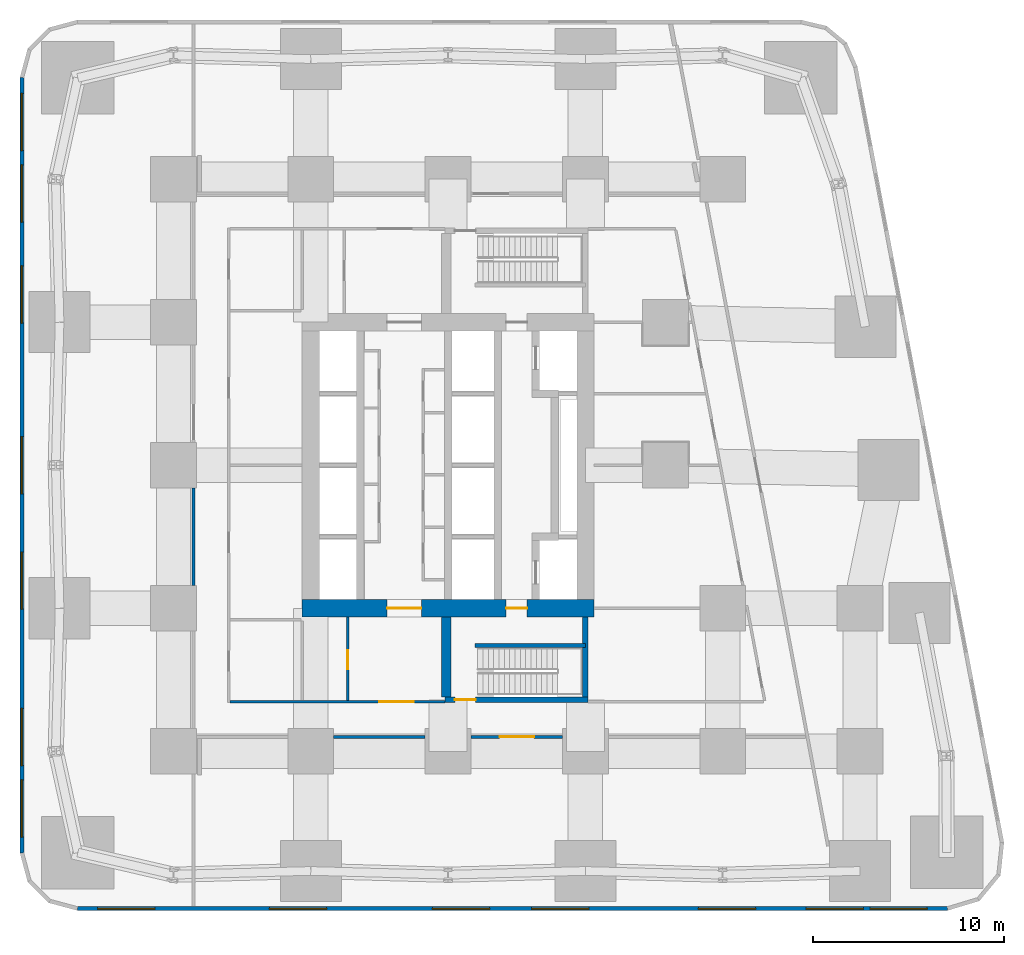
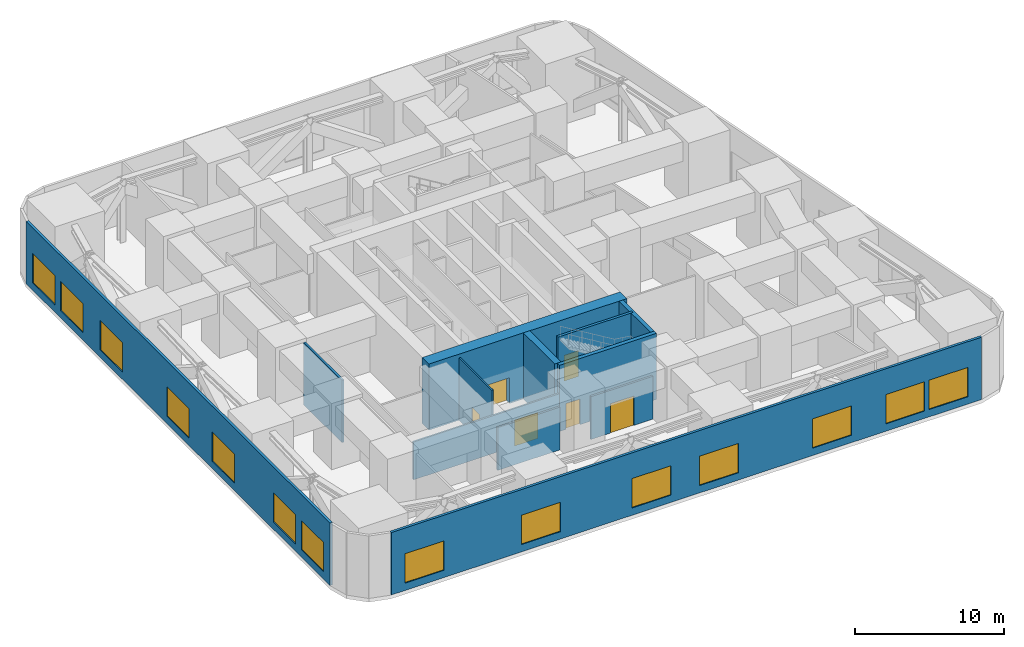
# One storey, part 3 of 8: 14 windows, 12 walls, 6 doors, 20 openings.
"""IFC4 building model written with IfcOpenShell, lengths in metres."""

from ifc_helpers import new_model, si_unit, direction, frame, frame_2d, origin, place, context, subcontext, project, spatial, rectangle, extrude, material, layer, layer_set, type_object, element, fill, save


model = new_model("IFC4")

# Units and contexts
model_context = context("Model", 3, precision=1e-05, world=origin(), true_north=direction((0.0, 1.0)))
body_context = subcontext(model_context, "Body", "Model", "MODEL_VIEW")
ifc_project = project(units=[si_unit("LENGTHUNIT", "METRE"), si_unit("AREAUNIT", "SQUARE_METRE"), si_unit("VOLUMEUNIT", "CUBIC_METRE"), si_unit("PLANEANGLEUNIT", "RADIAN"), si_unit("MASSUNIT", "GRAM", prefix="KILO")], contexts=[model_context])

# Site, building, storey
site_placement = place(None, origin())
site = spatial("IfcSite", under=ifc_project, at=site_placement, CompositionType="ELEMENT")
building_placement = place(site_placement, origin())
building = spatial("IfcBuilding", under=site, at=building_placement, Name="Sheger Commons Tower", CompositionType="ELEMENT")
storey_placement = place(building_placement, frame((0.0, 0.0, 14.60009765625)))
storey = spatial("IfcBuildingStorey", under=building, at=storey_placement, Name="L03", CompositionType="ELEMENT", Elevation=14.60009765625)

# Wall, openings, doors
ifc_material_1 = material(Name="Concrete C50/60", Category="concrete")
ifc_layer_1 = layer(ifc_material_1, 0.89990234375)
ifc_layer_set_1 = layer_set([ifc_layer_1], Name="CORE WALL 900")
wall_type_1 = type_object("IfcWallType", Name="CORE WALL 900", PredefinedType="SHEAR", material=ifc_layer_set_1)
wall_1_placement = place(storey_placement, frame((13.949951171875, 15.0, 0.0), z_axis=(0.0, 0.0, 1.0), x_axis=(1.0, 0.0, 0.0)))
wall_1 = element("IfcWall", 1, at=wall_1_placement, inside=storey, type_object=wall_type_1, Name="Core wall south L03", PredefinedType="SHEAR", context=body_context, shape_type="SweptSolid", body=[
    extrude(rectangle(XDim=15.300048828125, YDim=0.89990234375, at=frame_2d((7.64990234375, 0.0))), origin(), (0.0, 0.0, 1.0), 5.39990234375),
])
opening_1_placement = place(wall_1_placement, frame((4.449951171875, 0.0, 0.0)))
opening_1 = element("IfcOpeningElement", 2, at=opening_1_placement, cuts=wall_1, Name="Opening D6", PredefinedType="OPENING", context=body_context, shape_type="SweptSolid", body=[
    extrude(rectangle(XDim=1.800048828125, YDim=2.10009765625, at=frame_2d((0.89990234375, 1.050048828125))), frame((0.0, 0.4599609375, 0.0), z_axis=(0.0, -1.0, 0.0), x_axis=(1.0, 0.0, 0.0)), (0.0, 0.0, 1.0), 0.919921875),
])
opening_2_placement = place(wall_1_placement, frame((10.699951171875, 0.0, 0.0)))
opening_2 = element("IfcOpeningElement", 3, at=opening_2_placement, cuts=wall_1, Name="Opening D5", PredefinedType="OPENING", context=body_context, shape_type="SweptSolid", body=[
    extrude(rectangle(XDim=1.10009765625, YDim=2.10009765625, at=frame_2d((0.550048828125, 1.050048828125))), frame((0.0, 0.4599609375, 0.0), z_axis=(0.0, -1.0, 0.0), x_axis=(1.0, 0.0, 0.0)), (0.0, 0.0, 1.0), 0.919921875),
])
ifc_material_2 = material(Name="Steel door set, fire rated", Category="steel")
door_type_1 = type_object("IfcDoorType", Name="LOBBY DOUBLE DOOR 1800x2100", OperationType="DOUBLE_DOOR_SINGLE_SWING", PredefinedType="DOOR", material=ifc_material_2)
door_1_placement = place(opening_1_placement, origin())
door_1 = element("IfcDoor", 4, at=door_1_placement, inside=storey, type_object=door_type_1, Name="Lift lobby door", OperationType="DOUBLE_DOOR_SINGLE_SWING", OverallHeight=2.10009765625, OverallWidth=1.800048828125, PredefinedType="DOOR", context=body_context, shape_type="SweptSolid", body=[
    extrude(rectangle(XDim=1.800048828125, YDim=2.10009765625, at=frame_2d((0.89990234375, 1.050048828125))), frame((0.0, 0.02490234375, 0.0), z_axis=(0.0, -1.0, 0.0), x_axis=(1.0, 0.0, 0.0)), (0.0, 0.0, 1.0), 0.050048828125),
])
fill(opening_1, door_1)
ifc_material_3 = material(Name="Steel door set, fire rated", Category="steel")
door_type_2 = type_object("IfcDoorType", Name="STAIR DOOR 1100x2100", OperationType="NOTDEFINED", PredefinedType="DOOR", material=ifc_material_3)
door_2_placement = place(opening_2_placement, origin())
door_2 = element("IfcDoor", 5, at=door_2_placement, inside=storey, type_object=door_type_2, Name="Fire-fighting lobby door", OperationType="SINGLE_SWING_RIGHT", OverallHeight=2.10009765625, OverallWidth=1.10009765625, PredefinedType="DOOR", context=body_context, shape_type="SweptSolid", body=[
    extrude(rectangle(XDim=1.10009765625, YDim=2.10009765625, at=frame_2d((0.550048828125, 1.050048828125))), frame((0.0, 0.02490234375, 0.0), z_axis=(0.0, -1.0, 0.0), x_axis=(1.0, 0.0, 0.0)), (0.0, 0.0, 1.0), 0.050048828125),
])
fill(opening_2, door_2)

# Wall
ifc_material_4 = material(Name="Hollow concrete block masonry, skimmed both sides", Category="masonry")
ifc_layer_2 = layer(ifc_material_4, 0.14990234375)
ifc_layer_set_2 = layer_set([ifc_layer_2], Name="CORRIDOR WALL 150")
wall_type_2 = type_object("IfcWallType", Name="CORRIDOR WALL 150", PredefinedType="SOLIDWALL", material=ifc_layer_set_2)
wall_2_placement = place(storey_placement, frame((8.25, 16.200927734375, 0.0), z_axis=(0.0, 0.0, 1.0), x_axis=(0.0, 1.0, 0.0)))
element("IfcWall", 6, at=wall_2_placement, inside=storey, type_object=wall_type_2, Name="Corridor wall L03", PredefinedType="SOLIDWALL", context=body_context, shape_type="SweptSolid", body=[
    extrude(rectangle(XDim=5.09814453125, YDim=0.14990234375, at=frame_2d((2.549072265625, 0.0))), origin(), (0.0, 0.0, 1.0), 5.099853515625),
])

# Wall, opening, door
wall_3_placement = place(storey_placement, frame((27.59912109375, 8.25, 0.0), z_axis=(0.0, 0.0, 1.0), x_axis=(-1.0, 0.0, 0.0)))
wall_3 = element("IfcWall", 7, at=wall_3_placement, inside=storey, type_object=wall_type_2, Name="Corridor wall L03", PredefinedType="SOLIDWALL", context=body_context, shape_type="SweptSolid", body=[
    extrude(rectangle(XDim=4.798095703125, YDim=0.14990234375, at=frame_2d((2.39892578125, 0.0))), origin(), (0.0, 0.0, 1.0), 3.5),
])
opening_3_placement = place(wall_3_placement, frame((1.491943359375, 0.0, 0.0)))
opening_3 = element("IfcOpeningElement", 8, at=opening_3_placement, cuts=wall_3, Name="Opening D7", PredefinedType="OPENING", context=body_context, shape_type="SweptSolid", body=[
    extrude(rectangle(XDim=1.800048828125, YDim=2.39990234375, at=frame_2d((0.89990234375, 1.199951171875))), frame((0.0, 0.0849609375, 0.0), z_axis=(0.0, -1.0, 0.0), x_axis=(1.0, 0.0, 0.0)), (0.0, 0.0, 1.0), 0.169921875),
])
ifc_material_5 = material(Name="Steel door set, fire rated", Category="steel")
door_type_3 = type_object("IfcDoorType", Name="PLANT DOUBLE DOOR 1800x2400", OperationType="DOUBLE_DOOR_SINGLE_SWING", PredefinedType="DOOR", material=ifc_material_5)
door_3_placement = place(opening_3_placement, origin())
door_3 = element("IfcDoor", 9, at=door_3_placement, inside=storey, type_object=door_type_3, Name="Mechanical plant room door", OperationType="DOUBLE_DOOR_SINGLE_SWING", OverallHeight=2.39990234375, OverallWidth=1.800048828125, PredefinedType="DOOR", context=body_context, shape_type="SweptSolid", body=[
    extrude(rectangle(XDim=1.800048828125, YDim=2.39990234375, at=frame_2d((0.89990234375, 1.199951171875))), frame((0.0, 0.02490234375, 0.0), z_axis=(0.0, -1.0, 0.0), x_axis=(1.0, 0.0, 0.0)), (0.0, 0.0, 1.0), 0.050048828125),
])
fill(opening_3, door_3)

# Wall
wall_4_placement = place(storey_placement, frame((20.39892578125, 8.25, 0.0), z_axis=(0.0, 0.0, 1.0), x_axis=(-1.0, 0.0, 0.0)))
element("IfcWall", 10, at=wall_4_placement, inside=storey, type_object=wall_type_2, Name="Corridor wall L03", PredefinedType="SOLIDWALL", context=body_context, shape_type="SweptSolid", body=[
    extrude(rectangle(XDim=4.7978515625, YDim=0.14990234375, at=frame_2d((2.39892578125, 0.0))), origin(), (0.0, 0.0, 1.0), 3.5),
])

# Wall, openings, windows
ifc_material_6 = material(Name="Rendered concrete block masonry, dark grey", Category="masonry")
ifc_layer_3 = layer(ifc_material_6, 0.199951171875)
ifc_layer_set_3 = layer_set([ifc_layer_3], Name="FACADE WALL 200")
wall_type_3 = type_object("IfcWallType", Name="FACADE WALL 200", PredefinedType="SOLIDWALL", material=ifc_layer_set_3)
wall_5_placement = place(storey_placement, frame((2.1630859375, -0.75, 0.0), z_axis=(0.0, 0.0, 1.0), x_axis=(1.0, 0.0, 0.0)))
wall_5 = element("IfcWall", 11, at=wall_5_placement, inside=storey, type_object=wall_type_3, Name="Facade wall L03", PredefinedType="SOLIDWALL", context=body_context, shape_type="SweptSolid", body=[
    extrude(rectangle(XDim=45.6279296875, YDim=0.199951171875, at=frame_2d((22.81396484375, 0.0))), origin(), (0.0, 0.0, 1.0), 5.099853515625),
])
opening_4_placement = place(wall_5_placement, frame((1.06396484375, 0.0, 0.60009765625)))
opening_4 = element("IfcOpeningElement", 12, at=opening_4_placement, cuts=wall_5, Name="Opening LV1", PredefinedType="OPENING", context=body_context, shape_type="SweptSolid", body=[
    extrude(rectangle(XDim=3.0, YDim=2.39990234375, at=frame_2d((1.5, 1.199951171875))), frame((0.0, 0.10986328125, 0.0), z_axis=(0.0, -1.0, 0.0), x_axis=(1.0, 0.0, 0.0)), (0.0, 0.0, 1.0), 0.219970703125),
])
opening_5_placement = place(wall_5_placement, frame((10.06396484375, 0.0, 0.60009765625)))
opening_5 = element("IfcOpeningElement", 13, at=opening_5_placement, cuts=wall_5, Name="Opening LV1", PredefinedType="OPENING", context=body_context, shape_type="SweptSolid", body=[
    extrude(rectangle(XDim=3.0, YDim=2.39990234375, at=frame_2d((1.5, 1.199951171875))), frame((0.0, 0.10986328125, 0.0), z_axis=(0.0, -1.0, 0.0), x_axis=(1.0, 0.0, 0.0)), (0.0, 0.0, 1.0), 0.219970703125),
])
opening_6_placement = place(wall_5_placement, frame((18.614013671875, 0.0, 0.60009765625)))
opening_6 = element("IfcOpeningElement", 14, at=opening_6_placement, cuts=wall_5, Name="Opening LV1", PredefinedType="OPENING", context=body_context, shape_type="SweptSolid", body=[
    extrude(rectangle(XDim=3.0, YDim=2.39990234375, at=frame_2d((1.5, 1.199951171875))), frame((0.0, 0.10986328125, 0.0), z_axis=(0.0, -1.0, 0.0), x_axis=(1.0, 0.0, 0.0)), (0.0, 0.0, 1.0), 0.219970703125),
])
opening_7_placement = place(wall_5_placement, frame((23.81396484375, 0.0, 0.60009765625)))
opening_7 = element("IfcOpeningElement", 15, at=opening_7_placement, cuts=wall_5, Name="Opening LV1", PredefinedType="OPENING", context=body_context, shape_type="SweptSolid", body=[
    extrude(rectangle(XDim=3.0, YDim=2.39990234375, at=frame_2d((1.5, 1.199951171875))), frame((0.0, 0.10986328125, 0.0), z_axis=(0.0, -1.0, 0.0), x_axis=(1.0, 0.0, 0.0)), (0.0, 0.0, 1.0), 0.219970703125),
])
opening_8_placement = place(wall_5_placement, frame((32.56396484375, 0.0, 0.60009765625)))
opening_8 = element("IfcOpeningElement", 16, at=opening_8_placement, cuts=wall_5, Name="Opening LV1", PredefinedType="OPENING", context=body_context, shape_type="SweptSolid", body=[
    extrude(rectangle(XDim=3.0, YDim=2.39990234375, at=frame_2d((1.5, 1.199951171875))), frame((0.0, 0.10986328125, 0.0), z_axis=(0.0, -1.0, 0.0), x_axis=(1.0, 0.0, 0.0)), (0.0, 0.0, 1.0), 0.219970703125),
])
opening_9_placement = place(wall_5_placement, frame((38.214111328125, 0.0, 0.60009765625)))
opening_9 = element("IfcOpeningElement", 17, at=opening_9_placement, cuts=wall_5, Name="Opening LV1", PredefinedType="OPENING", context=body_context, shape_type="SweptSolid", body=[
    extrude(rectangle(XDim=3.0, YDim=2.39990234375, at=frame_2d((1.5, 1.199951171875))), frame((0.0, 0.10986328125, 0.0), z_axis=(0.0, -1.0, 0.0), x_axis=(1.0, 0.0, 0.0)), (0.0, 0.0, 1.0), 0.219970703125),
])
opening_10_placement = place(wall_5_placement, frame((41.56396484375, 0.0, 0.60009765625)))
opening_10 = element("IfcOpeningElement", 18, at=opening_10_placement, cuts=wall_5, Name="Opening LV1", PredefinedType="OPENING", context=body_context, shape_type="SweptSolid", body=[
    extrude(rectangle(XDim=3.0, YDim=2.39990234375, at=frame_2d((1.5, 1.199951171875))), frame((0.0, 0.10986328125, 0.0), z_axis=(0.0, -1.0, 0.0), x_axis=(1.0, 0.0, 0.0)), (0.0, 0.0, 1.0), 0.219970703125),
])
ifc_material_7 = material(Name="Black aluminium louvre", Category="aluminium")
window_type = type_object("IfcWindowType", Name="LOUVRE LV1 3000x2400", PartitioningType="SINGLE_PANEL", PredefinedType="USERDEFINED", material=ifc_material_7)
window_1_placement = place(opening_4_placement, origin())
window_1 = element("IfcWindow", 19, at=window_1_placement, inside=storey, type_object=window_type, Name="Louvre Lv1 3000X2400", ObjectType="LOUVRE", OverallHeight=2.39990234375, OverallWidth=3.0, PartitioningType="SINGLE_PANEL", PredefinedType="USERDEFINED", context=body_context, shape_type="SweptSolid", body=[
    extrude(rectangle(XDim=3.0, YDim=2.39990234375, at=frame_2d((1.5, 1.199951171875))), frame((0.0, 0.030029296875, 0.0), z_axis=(0.0, -1.0, 0.0), x_axis=(1.0, 0.0, 0.0)), (0.0, 0.0, 1.0), 0.06005859375),
])
fill(opening_4, window_1)
window_2_placement = place(opening_5_placement, origin())
window_2 = element("IfcWindow", 20, at=window_2_placement, inside=storey, type_object=window_type, Name="Louvre Lv1 3000X2400", ObjectType="LOUVRE", OverallHeight=2.39990234375, OverallWidth=3.0, PartitioningType="SINGLE_PANEL", PredefinedType="USERDEFINED", context=body_context, shape_type="SweptSolid", body=[
    extrude(rectangle(XDim=3.0, YDim=2.39990234375, at=frame_2d((1.5, 1.199951171875))), frame((0.0, 0.030029296875, 0.0), z_axis=(0.0, -1.0, 0.0), x_axis=(1.0, 0.0, 0.0)), (0.0, 0.0, 1.0), 0.06005859375),
])
fill(opening_5, window_2)
window_3_placement = place(opening_6_placement, origin())
window_3 = element("IfcWindow", 21, at=window_3_placement, inside=storey, type_object=window_type, Name="Louvre Lv1 3000X2400", ObjectType="LOUVRE", OverallHeight=2.39990234375, OverallWidth=3.0, PartitioningType="SINGLE_PANEL", PredefinedType="USERDEFINED", context=body_context, shape_type="SweptSolid", body=[
    extrude(rectangle(XDim=3.0, YDim=2.39990234375, at=frame_2d((1.5, 1.199951171875))), frame((0.0, 0.030029296875, 0.0), z_axis=(0.0, -1.0, 0.0), x_axis=(1.0, 0.0, 0.0)), (0.0, 0.0, 1.0), 0.06005859375),
])
fill(opening_6, window_3)
window_4_placement = place(opening_7_placement, origin())
window_4 = element("IfcWindow", 22, at=window_4_placement, inside=storey, type_object=window_type, Name="Louvre Lv1 3000X2400", ObjectType="LOUVRE", OverallHeight=2.39990234375, OverallWidth=3.0, PartitioningType="SINGLE_PANEL", PredefinedType="USERDEFINED", context=body_context, shape_type="SweptSolid", body=[
    extrude(rectangle(XDim=3.0, YDim=2.39990234375, at=frame_2d((1.5, 1.199951171875))), frame((0.0, 0.030029296875, 0.0), z_axis=(0.0, -1.0, 0.0), x_axis=(1.0, 0.0, 0.0)), (0.0, 0.0, 1.0), 0.06005859375),
])
fill(opening_7, window_4)
window_5_placement = place(opening_8_placement, origin())
window_5 = element("IfcWindow", 23, at=window_5_placement, inside=storey, type_object=window_type, Name="Louvre Lv1 3000X2400", ObjectType="LOUVRE", OverallHeight=2.39990234375, OverallWidth=3.0, PartitioningType="SINGLE_PANEL", PredefinedType="USERDEFINED", context=body_context, shape_type="SweptSolid", body=[
    extrude(rectangle(XDim=3.0, YDim=2.39990234375, at=frame_2d((1.5, 1.199951171875))), frame((0.0, 0.030029296875, 0.0), z_axis=(0.0, -1.0, 0.0), x_axis=(1.0, 0.0, 0.0)), (0.0, 0.0, 1.0), 0.06005859375),
])
fill(opening_8, window_5)
window_6_placement = place(opening_9_placement, origin())
window_6 = element("IfcWindow", 24, at=window_6_placement, inside=storey, type_object=window_type, Name="Louvre Lv1 3000X2400", ObjectType="LOUVRE", OverallHeight=2.39990234375, OverallWidth=3.0, PartitioningType="SINGLE_PANEL", PredefinedType="USERDEFINED", context=body_context, shape_type="SweptSolid", body=[
    extrude(rectangle(XDim=3.0, YDim=2.39990234375, at=frame_2d((1.5, 1.199951171875))), frame((0.0, 0.030029296875, 0.0), z_axis=(0.0, -1.0, 0.0), x_axis=(1.0, 0.0, 0.0)), (0.0, 0.0, 1.0), 0.06005859375),
])
fill(opening_9, window_6)
window_7_placement = place(opening_10_placement, origin())
window_7 = element("IfcWindow", 25, at=window_7_placement, inside=storey, type_object=window_type, Name="Louvre Lv1 3000X2400", ObjectType="LOUVRE", OverallHeight=2.39990234375, OverallWidth=3.0, PartitioningType="SINGLE_PANEL", PredefinedType="USERDEFINED", context=body_context, shape_type="SweptSolid", body=[
    extrude(rectangle(XDim=3.0, YDim=2.39990234375, at=frame_2d((1.5, 1.199951171875))), frame((0.0, 0.030029296875, 0.0), z_axis=(0.0, -1.0, 0.0), x_axis=(1.0, 0.0, 0.0)), (0.0, 0.0, 1.0), 0.06005859375),
])
fill(opening_10, window_7)

wall_6_placement = place(storey_placement, frame((-0.75, 42.8369140625, 0.0), z_axis=(0.0, 0.0, 1.0), x_axis=(0.0, -1.0, 0.0)))
wall_6 = element("IfcWall", 26, at=wall_6_placement, inside=storey, type_object=wall_type_3, Name="Facade wall L03", PredefinedType="SOLIDWALL", context=body_context, shape_type="SweptSolid", body=[
    extrude(rectangle(XDim=40.673828125, YDim=0.199951171875, at=frame_2d((20.3369140625, 0.0))), origin(), (0.0, 0.0, 1.0), 5.099853515625),
])
opening_11_placement = place(wall_6_placement, frame((0.8369140625, 0.0, 0.60009765625)))
opening_11 = element("IfcOpeningElement", 27, at=opening_11_placement, cuts=wall_6, Name="Opening LV1", PredefinedType="OPENING", context=body_context, shape_type="SweptSolid", body=[
    extrude(rectangle(XDim=3.0, YDim=2.39990234375, at=frame_2d((1.5, 1.199951171875))), frame((0.0, 0.10986328125, 0.0), z_axis=(0.0, -1.0, 0.0), x_axis=(1.0, 0.0, 0.0)), (0.0, 0.0, 1.0), 0.219970703125),
])
opening_12_placement = place(wall_6_placement, frame((4.5869140625, 0.0, 0.60009765625)))
opening_12 = element("IfcOpeningElement", 28, at=opening_12_placement, cuts=wall_6, Name="Opening LV1", PredefinedType="OPENING", context=body_context, shape_type="SweptSolid", body=[
    extrude(rectangle(XDim=3.0, YDim=2.39990234375, at=frame_2d((1.5, 1.199951171875))), frame((0.0, 0.10986328125, 0.0), z_axis=(0.0, -1.0, 0.0), x_axis=(1.0, 0.0, 0.0)), (0.0, 0.0, 1.0), 0.219970703125),
])
opening_13_placement = place(wall_6_placement, frame((9.886962890625, 0.0, 0.60009765625)))
opening_13 = element("IfcOpeningElement", 29, at=opening_13_placement, cuts=wall_6, Name="Opening LV1", PredefinedType="OPENING", context=body_context, shape_type="SweptSolid", body=[
    extrude(rectangle(XDim=3.0, YDim=2.39990234375, at=frame_2d((1.5, 1.199951171875))), frame((0.0, 0.10986328125, 0.0), z_axis=(0.0, -1.0, 0.0), x_axis=(1.0, 0.0, 0.0)), (0.0, 0.0, 1.0), 0.219970703125),
])
opening_14_placement = place(wall_6_placement, frame((18.8369140625, 0.0, 0.60009765625)))
opening_14 = element("IfcOpeningElement", 30, at=opening_14_placement, cuts=wall_6, Name="Opening LV1", PredefinedType="OPENING", context=body_context, shape_type="SweptSolid", body=[
    extrude(rectangle(XDim=3.0, YDim=2.39990234375, at=frame_2d((1.5, 1.199951171875))), frame((0.0, 0.10986328125, 0.0), z_axis=(0.0, -1.0, 0.0), x_axis=(1.0, 0.0, 0.0)), (0.0, 0.0, 1.0), 0.219970703125),
])
opening_15_placement = place(wall_6_placement, frame((24.886962890625, 0.0, 0.60009765625)))
opening_15 = element("IfcOpeningElement", 31, at=opening_15_placement, cuts=wall_6, Name="Opening LV1", PredefinedType="OPENING", context=body_context, shape_type="SweptSolid", body=[
    extrude(rectangle(XDim=3.0, YDim=2.39990234375, at=frame_2d((1.5, 1.199951171875))), frame((0.0, 0.10986328125, 0.0), z_axis=(0.0, -1.0, 0.0), x_axis=(1.0, 0.0, 0.0)), (0.0, 0.0, 1.0), 0.219970703125),
])
opening_16_placement = place(wall_6_placement, frame((33.0869140625, 0.0, 0.60009765625)))
opening_16 = element("IfcOpeningElement", 32, at=opening_16_placement, cuts=wall_6, Name="Opening LV1", PredefinedType="OPENING", context=body_context, shape_type="SweptSolid", body=[
    extrude(rectangle(XDim=3.0, YDim=2.39990234375, at=frame_2d((1.5, 1.199951171875))), frame((0.0, 0.10986328125, 0.0), z_axis=(0.0, -1.0, 0.0), x_axis=(1.0, 0.0, 0.0)), (0.0, 0.0, 1.0), 0.219970703125),
])
opening_17_placement = place(wall_6_placement, frame((36.8369140625, 0.0, 0.60009765625)))
opening_17 = element("IfcOpeningElement", 33, at=opening_17_placement, cuts=wall_6, Name="Opening LV1", PredefinedType="OPENING", context=body_context, shape_type="SweptSolid", body=[
    extrude(rectangle(XDim=3.0, YDim=2.39990234375, at=frame_2d((1.5, 1.199951171875))), frame((0.0, 0.10986328125, 0.0), z_axis=(0.0, -1.0, 0.0), x_axis=(1.0, 0.0, 0.0)), (0.0, 0.0, 1.0), 0.219970703125),
])
window_8_placement = place(opening_11_placement, origin())
window_8 = element("IfcWindow", 34, at=window_8_placement, inside=storey, type_object=window_type, Name="Louvre Lv1 3000X2400", ObjectType="LOUVRE", OverallHeight=2.39990234375, OverallWidth=3.0, PartitioningType="SINGLE_PANEL", PredefinedType="USERDEFINED", context=body_context, shape_type="SweptSolid", body=[
    extrude(rectangle(XDim=3.0, YDim=2.39990234375, at=frame_2d((1.5, 1.199951171875))), frame((0.0, 0.030029296875, 0.0), z_axis=(0.0, -1.0, 0.0), x_axis=(1.0, 0.0, 0.0)), (0.0, 0.0, 1.0), 0.06005859375),
])
fill(opening_11, window_8)
window_9_placement = place(opening_12_placement, origin())
window_9 = element("IfcWindow", 35, at=window_9_placement, inside=storey, type_object=window_type, Name="Louvre Lv1 3000X2400", ObjectType="LOUVRE", OverallHeight=2.39990234375, OverallWidth=3.0, PartitioningType="SINGLE_PANEL", PredefinedType="USERDEFINED", context=body_context, shape_type="SweptSolid", body=[
    extrude(rectangle(XDim=3.0, YDim=2.39990234375, at=frame_2d((1.5, 1.199951171875))), frame((0.0, 0.030029296875, 0.0), z_axis=(0.0, -1.0, 0.0), x_axis=(1.0, 0.0, 0.0)), (0.0, 0.0, 1.0), 0.06005859375),
])
fill(opening_12, window_9)
window_10_placement = place(opening_13_placement, origin())
window_10 = element("IfcWindow", 36, at=window_10_placement, inside=storey, type_object=window_type, Name="Louvre Lv1 3000X2400", ObjectType="LOUVRE", OverallHeight=2.39990234375, OverallWidth=3.0, PartitioningType="SINGLE_PANEL", PredefinedType="USERDEFINED", context=body_context, shape_type="SweptSolid", body=[
    extrude(rectangle(XDim=3.0, YDim=2.39990234375, at=frame_2d((1.5, 1.199951171875))), frame((0.0, 0.030029296875, 0.0), z_axis=(0.0, -1.0, 0.0), x_axis=(1.0, 0.0, 0.0)), (0.0, 0.0, 1.0), 0.06005859375),
])
fill(opening_13, window_10)
window_11_placement = place(opening_14_placement, origin())
window_11 = element("IfcWindow", 37, at=window_11_placement, inside=storey, type_object=window_type, Name="Louvre Lv1 3000X2400", ObjectType="LOUVRE", OverallHeight=2.39990234375, OverallWidth=3.0, PartitioningType="SINGLE_PANEL", PredefinedType="USERDEFINED", context=body_context, shape_type="SweptSolid", body=[
    extrude(rectangle(XDim=3.0, YDim=2.39990234375, at=frame_2d((1.5, 1.199951171875))), frame((0.0, 0.030029296875, 0.0), z_axis=(0.0, -1.0, 0.0), x_axis=(1.0, 0.0, 0.0)), (0.0, 0.0, 1.0), 0.06005859375),
])
fill(opening_14, window_11)
window_12_placement = place(opening_15_placement, origin())
window_12 = element("IfcWindow", 38, at=window_12_placement, inside=storey, type_object=window_type, Name="Louvre Lv1 3000X2400", ObjectType="LOUVRE", OverallHeight=2.39990234375, OverallWidth=3.0, PartitioningType="SINGLE_PANEL", PredefinedType="USERDEFINED", context=body_context, shape_type="SweptSolid", body=[
    extrude(rectangle(XDim=3.0, YDim=2.39990234375, at=frame_2d((1.5, 1.199951171875))), frame((0.0, 0.030029296875, 0.0), z_axis=(0.0, -1.0, 0.0), x_axis=(1.0, 0.0, 0.0)), (0.0, 0.0, 1.0), 0.06005859375),
])
fill(opening_15, window_12)
window_13_placement = place(opening_16_placement, origin())
window_13 = element("IfcWindow", 39, at=window_13_placement, inside=storey, type_object=window_type, Name="Louvre Lv1 3000X2400", ObjectType="LOUVRE", OverallHeight=2.39990234375, OverallWidth=3.0, PartitioningType="SINGLE_PANEL", PredefinedType="USERDEFINED", context=body_context, shape_type="SweptSolid", body=[
    extrude(rectangle(XDim=3.0, YDim=2.39990234375, at=frame_2d((1.5, 1.199951171875))), frame((0.0, 0.030029296875, 0.0), z_axis=(0.0, -1.0, 0.0), x_axis=(1.0, 0.0, 0.0)), (0.0, 0.0, 1.0), 0.06005859375),
])
fill(opening_16, window_13)
window_14_placement = place(opening_17_placement, origin())
window_14 = element("IfcWindow", 40, at=window_14_placement, inside=storey, type_object=window_type, Name="Louvre Lv1 3000X2400", ObjectType="LOUVRE", OverallHeight=2.39990234375, OverallWidth=3.0, PartitioningType="SINGLE_PANEL", PredefinedType="USERDEFINED", context=body_context, shape_type="SweptSolid", body=[
    extrude(rectangle(XDim=3.0, YDim=2.39990234375, at=frame_2d((1.5, 1.199951171875))), frame((0.0, 0.030029296875, 0.0), z_axis=(0.0, -1.0, 0.0), x_axis=(1.0, 0.0, 0.0)), (0.0, 0.0, 1.0), 0.06005859375),
])
fill(opening_17, window_14)

# Wall, opening, door
ifc_material_8 = material(Name="Gypsum board on steel studs, two layers each side, fire rated", Category="steel")
ifc_layer_4 = layer(ifc_material_8, 0.125)
ifc_layer_set_4 = layer_set([ifc_layer_4], Name="SERVICE WALL 125")
wall_type_4 = type_object("IfcWallType", Name="SERVICE WALL 125", PredefinedType="PARTITIONING", material=ifc_layer_set_4)
wall_7_placement = place(storey_placement, frame((10.1630859375, 10.10009765625, 0.0), z_axis=(0.0, 0.0, 1.0), x_axis=(1.0, 0.0, 0.0)))
wall_7 = element("IfcWall", 41, at=wall_7_placement, inside=storey, type_object=wall_type_4, Name="Service room wall L03", PredefinedType="PARTITIONING", context=body_context, shape_type="SweptSolid", body=[
    extrude(rectangle(XDim=11.286865234375, YDim=0.125, at=frame_2d((5.6435546875, 0.0))), origin(), (0.0, 0.0, 1.0), 3.099853515625),
])
opening_18_placement = place(wall_7_placement, frame((7.83203125, 0.0, 0.0)))
opening_18 = element("IfcOpeningElement", 42, at=opening_18_placement, cuts=wall_7, Name="Opening D6", PredefinedType="OPENING", context=body_context, shape_type="SweptSolid", body=[
    extrude(rectangle(XDim=1.800048828125, YDim=2.10009765625, at=frame_2d((0.89990234375, 1.050048828125))), frame((0.0, 0.072509765625, 0.0), z_axis=(0.0, -1.0, 0.0), x_axis=(1.0, 0.0, 0.0)), (0.0, 0.0, 1.0), 0.14501953125),
])
door_4_placement = place(opening_18_placement, origin())
door_4 = element("IfcDoor", 43, at=door_4_placement, inside=storey, type_object=door_type_1, Name="Lift lobby south door", OperationType="DOUBLE_DOOR_SINGLE_SWING", OverallHeight=2.10009765625, OverallWidth=1.800048828125, PredefinedType="DOOR", context=body_context, shape_type="SweptSolid", body=[
    extrude(rectangle(XDim=1.800048828125, YDim=2.10009765625, at=frame_2d((0.89990234375, 1.050048828125))), frame((0.0, 0.02490234375, 0.0), z_axis=(0.0, -1.0, 0.0), x_axis=(1.0, 0.0, 0.0)), (0.0, 0.0, 1.0), 0.050048828125),
])
fill(opening_18, door_4)

wall_8_placement = place(storey_placement, frame((16.340087890625, 10.1630859375, 0.0), z_axis=(0.0, 0.0, 1.0), x_axis=(0.0, 1.0, 0.0)))
wall_8 = element("IfcWall", 44, at=wall_8_placement, inside=storey, type_object=wall_type_4, Name="Service room wall L03", PredefinedType="PARTITIONING", context=body_context, shape_type="SweptSolid", body=[
    extrude(rectangle(XDim=4.386962890625, YDim=0.125, at=frame_2d((2.193359375, 0.0))), origin(), (0.0, 0.0, 1.0), 5.099853515625),
])
opening_19_placement = place(wall_8_placement, frame((1.636962890625, 0.0, 0.0)))
opening_19 = element("IfcOpeningElement", 45, at=opening_19_placement, cuts=wall_8, Name="Opening D4", PredefinedType="OPENING", context=body_context, shape_type="SweptSolid", body=[
    extrude(rectangle(XDim=1.0, YDim=2.10009765625, at=frame_2d((0.5, 1.050048828125))), frame((0.0, 0.072509765625, 0.0), z_axis=(0.0, -1.0, 0.0), x_axis=(1.0, 0.0, 0.0)), (0.0, 0.0, 1.0), 0.14501953125),
])
ifc_material_9 = material(Name="Steel door set, fire rated", Category="steel")
door_type_4 = type_object("IfcDoorType", Name="SERVICE DOOR 1000x2100", OperationType="NOTDEFINED", PredefinedType="DOOR", material=ifc_material_9)
door_5_placement = place(opening_19_placement, origin())
door_5 = element("IfcDoor", 46, at=door_5_placement, inside=storey, type_object=door_type_4, Name="Electrical room door", OperationType="SINGLE_SWING_LEFT", OverallHeight=2.10009765625, OverallWidth=1.0, PredefinedType="DOOR", context=body_context, shape_type="SweptSolid", body=[
    extrude(rectangle(XDim=1.0, YDim=2.10009765625, at=frame_2d((0.5, 1.050048828125))), frame((0.0, 0.02490234375, 0.0), z_axis=(0.0, -1.0, 0.0), x_axis=(1.0, 0.0, 0.0)), (0.0, 0.0, 1.0), 0.050048828125),
])
fill(opening_19, door_5)

ifc_material_10 = material(Name="Concrete C50/60", Category="concrete")
ifc_layer_5 = layer(ifc_material_10, 0.300048828125)
ifc_layer_set_5 = layer_set([ifc_layer_5], Name="STAIR CORE WALL 300")
wall_type_5 = type_object("IfcWallType", Name="STAIR CORE WALL 300", PredefinedType="SHEAR", material=ifc_layer_set_5)
wall_9_placement = place(storey_placement, frame((21.449951171875, 10.199951171875, 0.0), z_axis=(0.0, 0.0, 1.0), x_axis=(1.0, 0.0, 0.0)))
wall_9 = element("IfcWall", 47, at=wall_9_placement, inside=storey, type_object=wall_type_5, Name="STW-L03-S1S", PredefinedType="SHEAR", context=body_context, shape_type="SweptSolid", body=[
    extrude(rectangle(XDim=7.5, YDim=0.300048828125, at=frame_2d((3.75, 0.0))), origin(), (0.0, 0.0, 1.0), 5.39990234375),
])
opening_20_placement = place(wall_9_placement, frame((0.5, 0.0, 0.0)))
opening_20 = element("IfcOpeningElement", 48, at=opening_20_placement, cuts=wall_9, Name="Opening D5", PredefinedType="OPENING", context=body_context, shape_type="SweptSolid", body=[
    extrude(rectangle(XDim=1.10009765625, YDim=2.10009765625, at=frame_2d((0.550048828125, 1.050048828125))), frame((0.0, 0.159912109375, 0.0), z_axis=(0.0, -1.0, 0.0), x_axis=(1.0, 0.0, 0.0)), (0.0, 0.0, 1.0), 0.320068359375),
])
door_6_placement = place(opening_20_placement, origin())
door_6 = element("IfcDoor", 49, at=door_6_placement, inside=storey, type_object=door_type_2, Name="Stair S1 door", OperationType="SINGLE_SWING_LEFT", OverallHeight=2.10009765625, OverallWidth=1.10009765625, PredefinedType="DOOR", context=body_context, shape_type="SweptSolid", body=[
    extrude(rectangle(XDim=1.10009765625, YDim=2.10009765625, at=frame_2d((0.550048828125, 1.050048828125))), frame((0.0, 0.02490234375, 0.0), z_axis=(0.0, -1.0, 0.0), x_axis=(1.0, 0.0, 0.0)), (0.0, 0.0, 1.0), 0.050048828125),
])
fill(opening_20, door_6)

# Walls
wall_10_placement = place(storey_placement, frame((28.800048828125, 10.35009765625, 0.0), z_axis=(0.0, 0.0, 1.0), x_axis=(0.0, 1.0, 0.0)))
element("IfcWall", 50, at=wall_10_placement, inside=storey, type_object=wall_type_5, Name="STW-L03-S1E", PredefinedType="SHEAR", context=body_context, shape_type="SweptSolid", body=[
    extrude(rectangle(XDim=4.199951171875, YDim=0.300048828125, at=frame_2d((2.10009765625, 0.0))), origin(), (0.0, 0.0, 1.0), 5.39990234375),
])
ifc_material_11 = material(Name="Concrete C50/60", Category="concrete")
ifc_layer_6 = layer(ifc_material_11, 0.5)
ifc_layer_set_6 = layer_set([ifc_layer_6], Name="STAIR CORE WALL 500")
wall_type_6 = type_object("IfcWallType", Name="STAIR CORE WALL 500", PredefinedType="SHEAR", material=ifc_layer_set_6)
wall_11_placement = place(storey_placement, frame((21.5, 10.35009765625, 0.0), z_axis=(0.0, 0.0, 1.0), x_axis=(0.0, 1.0, 0.0)))
element("IfcWall", 51, at=wall_11_placement, inside=storey, type_object=wall_type_6, Name="STW-L03-S1W", PredefinedType="SHEAR", context=body_context, shape_type="SweptSolid", body=[
    extrude(rectangle(XDim=4.199951171875, YDim=0.5, at=frame_2d((2.10009765625, 0.0))), origin(), (0.0, 0.0, 1.0), 5.39990234375),
])
ifc_material_12 = material(Name="Concrete C50/60", Category="concrete")
ifc_layer_7 = layer(ifc_material_12, 0.199951171875)
ifc_layer_set_7 = layer_set([ifc_layer_7], Name="STAIR SPINE WALL 200")
wall_type_7 = type_object("IfcWallType", Name="STAIR SPINE WALL 200", PredefinedType="SHEAR", material=ifc_layer_set_7)
wall_12_placement = place(storey_placement, frame((23.0, 13.050048828125, 0.0), z_axis=(0.0, 0.0, 1.0), x_axis=(1.0, 0.0, 0.0)))
element("IfcWall", 52, at=wall_12_placement, inside=storey, type_object=wall_type_7, Name="Stair spine wall L03", PredefinedType="SHEAR", context=body_context, shape_type="SweptSolid", body=[
    extrude(rectangle(XDim=5.800048828125, YDim=0.199951171875, at=frame_2d((2.89990234375, 0.0))), origin(), (0.0, 0.0, 1.0), 5.39990234375),
])

save(model, "model.ifc")
